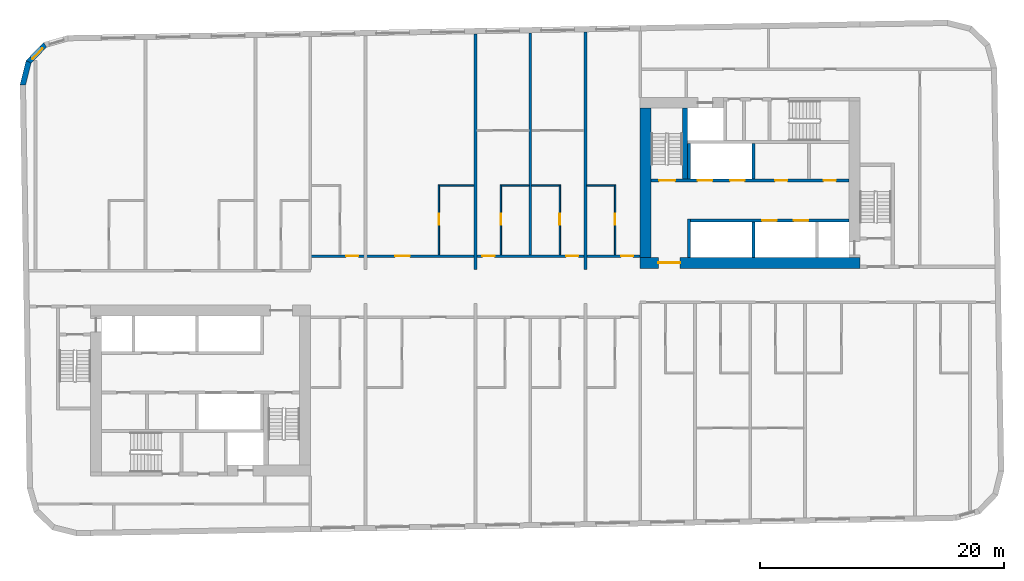
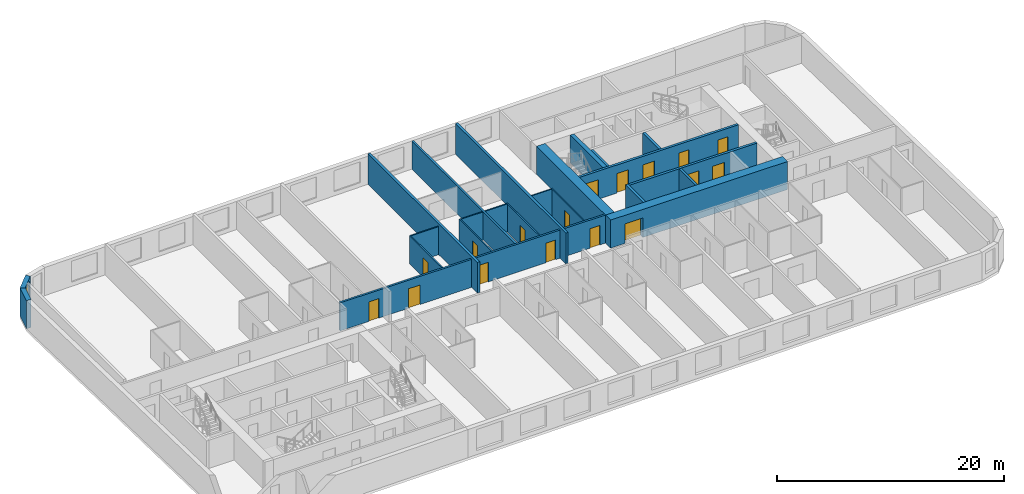
# One storey, part 5 of 11: 23 walls, 17 doors, 1 window, 18 openings.
"""IFC4 building model written with IfcOpenShell, lengths in metres."""

from ifc_helpers import new_model, si_unit, direction, frame, frame_2d, origin, place, context, subcontext, project, spatial, polyline, rectangle, outline, extrude, material, layer, layer_set, type_object, element, fill, save


model = new_model("IFC4")

# Units and contexts
model_context = context("Model", 3, precision=1e-05, world=origin(), true_north=direction((0.0, 1.0)))
body_context = subcontext(model_context, "Body", "Model", "MODEL_VIEW")
ifc_project = project(units=[si_unit("LENGTHUNIT", "METRE"), si_unit("AREAUNIT", "SQUARE_METRE"), si_unit("VOLUMEUNIT", "CUBIC_METRE"), si_unit("PLANEANGLEUNIT", "RADIAN"), si_unit("MASSUNIT", "GRAM", prefix="KILO")], contexts=[model_context])

# Site, building, storey
site_placement = place(None, origin())
site = spatial("IfcSite", under=ifc_project, at=site_placement, CompositionType="ELEMENT")
building_placement = place(site_placement, origin())
building = spatial("IfcBuilding", under=site, at=building_placement, Name="Kajstack Hotel Tower", CompositionType="ELEMENT")
storey_placement = place(building_placement, frame((0.0, 0.0, 230.89990234375)))
storey = spatial("IfcBuildingStorey", under=building, at=storey_placement, Name="L56", CompositionType="ELEMENT", Elevation=230.89990234375)

# Wall, opening, door
ifc_material_1 = material(Name="Concrete C60/75", Category="concrete")
ifc_layer_1 = layer(ifc_material_1, 0.89990234375)
ifc_layer_set_1 = layer_set([ifc_layer_1], Name="Core wall 900")
wall_type_1 = type_object("IfcWallType", Name="Core wall 900", PredefinedType="SHEAR", material=ifc_layer_set_1)
wall_1_placement = place(storey_placement, frame((13.5, 1.949951171875, 0.0), z_axis=(0.0, 0.0, 1.0), x_axis=(1.0, 0.0, 0.0)))
wall_1 = element("IfcWall", 1, at=wall_1_placement, inside=storey, type_object=wall_type_1, Name="Core wall E RN", PredefinedType="SHEAR", context=body_context, shape_type="SweptSolid", body=[
    extrude(rectangle(XDim=18.0, YDim=0.89990234375, at=frame_2d((9.0, 0.0))), origin(), (0.0, 0.0, 1.0), 3.02001953125),
])
opening_1_placement = place(wall_1_placement, frame((1.47509765625, 0.0, 0.0)))
opening_1 = element("IfcOpeningElement", 2, at=opening_1_placement, cuts=wall_1, Name="Opening 56E07", PredefinedType="OPENING", context=body_context, shape_type="SweptSolid", body=[
    extrude(rectangle(XDim=1.800048828125, YDim=2.10009765625, at=frame_2d((0.89990234375, 1.050048828125))), frame((0.0, 0.4599609375, 0.0), z_axis=(0.0, -1.0, 0.0), x_axis=(1.0, 0.0, 0.0)), (0.0, 0.0, 1.0), 0.919921875),
])
ifc_material_2 = material(Name="Glazed steel frame, fire-rated glass", Category="steel")
door_type_1 = type_object("IfcDoorType", Name="Lobby double door 1800", OperationType="DOUBLE_DOOR_DOUBLE_SWING", PredefinedType="DOOR", material=ifc_material_2)
door_1_placement = place(opening_1_placement, origin())
door_1 = element("IfcDoor", 3, at=door_1_placement, inside=storey, type_object=door_type_1, Name="Door 56E07", OperationType="DOUBLE_DOOR_DOUBLE_SWING", OverallHeight=2.10009765625, OverallWidth=1.800048828125, PredefinedType="DOOR", context=body_context, shape_type="SweptSolid", body=[
    extrude(rectangle(XDim=1.800048828125, YDim=2.10009765625, at=frame_2d((0.89990234375, 1.050048828125))), frame((0.0, 0.02490234375, 0.0), z_axis=(0.0, -1.0, 0.0), x_axis=(1.0, 0.0, 0.0)), (0.0, 0.0, 1.0), 0.050048828125),
])
fill(opening_1, door_1)

# Wall
wall_2_placement = place(storey_placement, frame((13.949951171875, 2.39990234375, 0.0), z_axis=(0.0, 0.0, 1.0), x_axis=(0.0, 1.0, 0.0)))
element("IfcWall", 4, at=wall_2_placement, inside=storey, type_object=wall_type_1, Name="Core wall E RE", PredefinedType="SHEAR", context=body_context, shape_type="SweptSolid", body=[
    extrude(rectangle(XDim=12.2001953125, YDim=0.89990234375, at=frame_2d((6.10009765625, 0.0))), origin(), (0.0, 0.0, 1.0), 3.02001953125),
])

# Wall, openings, doors
ifc_material_3 = material(Name="Gypsum board on steel studs, mineral wool", Category="steel")
ifc_layer_2 = layer(ifc_material_3, 0.199951171875)
ifc_layer_set_2 = layer_set([ifc_layer_2], Name="Corridor wall 200")
wall_type_2 = type_object("IfcWallType", Name="Corridor wall 200", PredefinedType="PARTITIONING", material=ifc_layer_set_2)
wall_3_placement = place(storey_placement, frame((-13.5, 2.5, 0.0), z_axis=(0.0, 0.0, 1.0), x_axis=(1.0, 0.0, 0.0)))
wall_3 = element("IfcWall", 5, at=wall_3_placement, inside=storey, type_object=wall_type_2, Name="G-wall-L56-004", PredefinedType="PARTITIONING", context=body_context, shape_type="SweptSolid", body=[
    extrude(rectangle(XDim=27.0, YDim=0.199951171875, at=frame_2d((13.5, 0.0))), origin(), (0.0, 0.0, 1.0), 3.02001953125),
])
opening_2_placement = place(wall_3_placement, frame((2.925048828125, 0.0, 0.0)))
opening_2 = element("IfcOpeningElement", 6, at=opening_2_placement, cuts=wall_3, Name="Opening 56007", PredefinedType="OPENING", context=body_context, shape_type="SweptSolid", body=[
    extrude(rectangle(XDim=1.0, YDim=2.10009765625, at=frame_2d((0.5, 1.050048828125))), frame((0.0, 0.10986328125, 0.0), z_axis=(0.0, -1.0, 0.0), x_axis=(1.0, 0.0, 0.0)), (0.0, 0.0, 1.0), 0.219970703125),
])
opening_3_placement = place(wall_3_placement, frame((6.93798828125, 0.0, 0.0)))
opening_3 = element("IfcOpeningElement", 7, at=opening_3_placement, cuts=wall_3, Name="Opening 56009", PredefinedType="OPENING", context=body_context, shape_type="SweptSolid", body=[
    extrude(rectangle(XDim=1.199951171875, YDim=2.10009765625, at=frame_2d((0.60009765625, 1.050048828125))), frame((0.0, 0.10986328125, 0.0), z_axis=(0.0, -1.0, 0.0), x_axis=(1.0, 0.0, 0.0)), (0.0, 0.0, 1.0), 0.219970703125),
])
opening_4_placement = place(wall_3_placement, frame((14.074951171875, 0.0, 0.0)))
opening_4 = element("IfcOpeningElement", 8, at=opening_4_placement, cuts=wall_3, Name="Opening 56011", PredefinedType="OPENING", context=body_context, shape_type="SweptSolid", body=[
    extrude(rectangle(XDim=1.0, YDim=2.10009765625, at=frame_2d((0.5, 1.050048828125))), frame((0.0, 0.10986328125, 0.0), z_axis=(0.0, -1.0, 0.0), x_axis=(1.0, 0.0, 0.0)), (0.0, 0.0, 1.0), 0.219970703125),
])
opening_5_placement = place(wall_3_placement, frame((20.925048828125, 0.0, 0.0)))
opening_5 = element("IfcOpeningElement", 9, at=opening_5_placement, cuts=wall_3, Name="Opening 56014", PredefinedType="OPENING", context=body_context, shape_type="SweptSolid", body=[
    extrude(rectangle(XDim=1.0, YDim=2.10009765625, at=frame_2d((0.5, 1.050048828125))), frame((0.0, 0.10986328125, 0.0), z_axis=(0.0, -1.0, 0.0), x_axis=(1.0, 0.0, 0.0)), (0.0, 0.0, 1.0), 0.219970703125),
])
opening_6_placement = place(wall_3_placement, frame((25.425048828125, 0.0, 0.0)))
opening_6 = element("IfcOpeningElement", 10, at=opening_6_placement, cuts=wall_3, Name="Opening 56017", PredefinedType="OPENING", context=body_context, shape_type="SweptSolid", body=[
    extrude(rectangle(XDim=1.0, YDim=2.10009765625, at=frame_2d((0.5, 1.050048828125))), frame((0.0, 0.10986328125, 0.0), z_axis=(0.0, -1.0, 0.0), x_axis=(1.0, 0.0, 0.0)), (0.0, 0.0, 1.0), 0.219970703125),
])
ifc_material_4 = material(Name="Oak veneer on timber core, fire-rated leaf", Category="wood")
door_type_2 = type_object("IfcDoorType", Name="Flat entrance door 1000", OperationType="SINGLE_SWING_LEFT", PredefinedType="DOOR", material=ifc_material_4)
door_2_placement = place(opening_2_placement, origin())
door_2 = element("IfcDoor", 11, at=door_2_placement, inside=storey, type_object=door_type_2, Name="G-door-L56-07", OperationType="SINGLE_SWING_RIGHT", OverallHeight=2.10009765625, OverallWidth=1.0, PredefinedType="DOOR", context=body_context, shape_type="SweptSolid", body=[
    extrude(rectangle(XDim=1.0, YDim=2.10009765625, at=frame_2d((0.5, 1.050048828125))), frame((0.0, 0.02490234375, 0.0), z_axis=(0.0, -1.0, 0.0), x_axis=(1.0, 0.0, 0.0)), (0.0, 0.0, 1.0), 0.050048828125),
])
fill(opening_2, door_2)
door_3_placement = place(opening_4_placement, origin())
door_3 = element("IfcDoor", 12, at=door_3_placement, inside=storey, type_object=door_type_2, Name="G-door-L56-11", OperationType="SINGLE_SWING_LEFT", OverallHeight=2.10009765625, OverallWidth=1.0, PredefinedType="DOOR", context=body_context, shape_type="SweptSolid", body=[
    extrude(rectangle(XDim=1.0, YDim=2.10009765625, at=frame_2d((0.5, 1.050048828125))), frame((0.0, 0.02490234375, 0.0), z_axis=(0.0, -1.0, 0.0), x_axis=(1.0, 0.0, 0.0)), (0.0, 0.0, 1.0), 0.050048828125),
])
fill(opening_4, door_3)
door_4_placement = place(opening_5_placement, origin())
door_4 = element("IfcDoor", 13, at=door_4_placement, inside=storey, type_object=door_type_2, Name="G-door-L56-14", OperationType="SINGLE_SWING_LEFT", OverallHeight=2.10009765625, OverallWidth=1.0, PredefinedType="DOOR", context=body_context, shape_type="SweptSolid", body=[
    extrude(rectangle(XDim=1.0, YDim=2.10009765625, at=frame_2d((0.5, 1.050048828125))), frame((0.0, 0.02490234375, 0.0), z_axis=(0.0, -1.0, 0.0), x_axis=(1.0, 0.0, 0.0)), (0.0, 0.0, 1.0), 0.050048828125),
])
fill(opening_5, door_4)
door_5_placement = place(opening_6_placement, origin())
door_5 = element("IfcDoor", 14, at=door_5_placement, inside=storey, type_object=door_type_2, Name="G-door-L56-17", OperationType="SINGLE_SWING_RIGHT", OverallHeight=2.10009765625, OverallWidth=1.0, PredefinedType="DOOR", context=body_context, shape_type="SweptSolid", body=[
    extrude(rectangle(XDim=1.0, YDim=2.10009765625, at=frame_2d((0.5, 1.050048828125))), frame((0.0, 0.02490234375, 0.0), z_axis=(0.0, -1.0, 0.0), x_axis=(1.0, 0.0, 0.0)), (0.0, 0.0, 1.0), 0.050048828125),
])
fill(opening_6, door_5)
door_type_3 = type_object("IfcDoorType", Name="Flat entrance door 1200", OperationType="SINGLE_SWING_LEFT", PredefinedType="DOOR", material=ifc_material_4)
door_6_placement = place(opening_3_placement, origin())
door_6 = element("IfcDoor", 15, at=door_6_placement, inside=storey, type_object=door_type_3, Name="G-door-L56-09", OperationType="SINGLE_SWING_LEFT", OverallHeight=2.10009765625, OverallWidth=1.199951171875, PredefinedType="DOOR", context=body_context, shape_type="SweptSolid", body=[
    extrude(rectangle(XDim=1.199951171875, YDim=2.10009765625, at=frame_2d((0.60009765625, 1.050048828125))), frame((0.0, 0.02490234375, 0.0), z_axis=(0.0, -1.0, 0.0), x_axis=(1.0, 0.0, 0.0)), (0.0, 0.0, 1.0), 0.050048828125),
])
fill(opening_3, door_6)

# Wall
ifc_material_5 = material(Name="Twin-frame gypsum board on steel studs, mineral wool", Category="steel")
ifc_layer_3 = layer(ifc_material_5, 0.199951171875)
ifc_layer_set_3 = layer_set([ifc_layer_3], Name="Demising wall 200")
wall_type_3 = type_object("IfcWallType", Name="Demising wall 200", PredefinedType="PARTITIONING", material=ifc_layer_set_3)
wall_4_placement = place(storey_placement, frame((4.5, 2.60009765625, 0.0), z_axis=(0.0, 0.0, 1.0), x_axis=(0.0, 1.0, 0.0)))
element("IfcWall", 16, at=wall_4_placement, inside=storey, type_object=wall_type_3, Name="G-wall-L56-016", PredefinedType="PARTITIONING", context=body_context, shape_type="SweptSolid", body=[
    extrude(rectangle(XDim=18.178955078125, YDim=0.199951171875, at=frame_2d((9.08935546875, 0.0))), origin(), (0.0, 0.0, 1.0), 3.02001953125),
])

# Wall, opening, window
ifc_material_6 = material(Name="Terracotta-faced brick masonry", Category="masonry")
ifc_layer_4 = layer(ifc_material_6, 0.449951171875)
ifc_layer_set_4 = layer_set([ifc_layer_4], Name="EW-TERRA")
wall_type_4 = type_object("IfcWallType", Name="EW-TERRA", PredefinedType="SOLIDWALL", material=ifc_layer_set_4)
wall_5_placement = place(storey_placement, frame((-35.1806640625, 19.841552734375, 0.0), z_axis=(0.0, 0.0, 1.0), x_axis=(-0.694678672846, -0.719320193998, 0.0)))
wall_5 = element("IfcWall", 17, at=wall_5_placement, inside=storey, type_object=wall_type_4, Name="E-wall-L56-14-00", PredefinedType="SOLIDWALL", context=body_context, shape_type="SweptSolid", body=[
    extrude(outline(polyline([(0.0, -0.22509765625), (2.07080078125, -0.22509765625), (1.9501953125, 0.224853515625), (0.12060546875, 0.224853515625), (0.0, -0.22509765625)])), origin(), (0.0, 0.0, 1.0), 3.02001953125),
])
opening_7_placement = place(wall_5_placement, frame((0.435302734375, 0.0, 0.449951171875)))
opening_7 = element("IfcOpeningElement", 18, at=opening_7_placement, cuts=wall_5, Name="Opening W3", PredefinedType="OPENING", context=body_context, shape_type="SweptSolid", body=[
    extrude(rectangle(XDim=1.199951171875, YDim=2.25, at=frame_2d((0.60009765625, 1.125))), frame((0.0, 0.23486328125, 0.0), z_axis=(0.0, -1.0, 0.0), x_axis=(1.0, 0.0, 0.0)), (0.0, 0.0, 1.0), 0.469970703125),
])
ifc_material_7 = material(Name="Timber-aluminium window, triple glazed", Category="wood")
window_type = type_object("IfcWindowType", Name="WG3", PartitioningType="SINGLE_PANEL", PredefinedType="WINDOW", material=ifc_material_7)
window_placement = place(opening_7_placement, origin())
window = element("IfcWindow", 19, at=window_placement, inside=storey, type_object=window_type, Name="Window W3 L56-14", OverallHeight=2.25, OverallWidth=1.199951171875, PartitioningType="SINGLE_PANEL", PredefinedType="WINDOW", context=body_context, shape_type="SweptSolid", body=[
    extrude(rectangle(XDim=1.199951171875, YDim=2.25, at=frame_2d((0.60009765625, 1.125))), frame((0.0, 0.090087890625, 0.0), z_axis=(0.0, -1.0, 0.0), x_axis=(1.0, 0.0, 0.0)), (0.0, 0.0, 1.0), 0.06005859375),
])
fill(opening_7, window)

# Wall
wall_6_placement = place(storey_placement, frame((-36.562744140625, 18.453857421875, 0.0), z_axis=(0.0, 0.0, 1.0), x_axis=(-0.241869623482, -0.970308757683, 0.0)))
element("IfcWall", 20, at=wall_6_placement, inside=storey, type_object=wall_type_4, Name="E-wall-L56-15-00", PredefinedType="SOLIDWALL", context=body_context, shape_type="SweptSolid", body=[
    extrude(outline(polyline([(-0.000244140625, -0.224853515625), (2.0703125, -0.22509765625), (1.94970703125, 0.224853515625), (0.120361328125, 0.22509765625), (-0.000244140625, -0.224853515625)])), origin(), (0.0, 0.0, 1.0), 3.02001953125),
])

# Wall, opening, door
ifc_material_8 = material(Name="Gypsum board and tiled backer on steel studs", Category="steel")
ifc_layer_5 = layer(ifc_material_8, 0.125)
ifc_layer_set_5 = layer_set([ifc_layer_5], Name="En-suite wall 125")
wall_type_5 = type_object("IfcWallType", Name="En-suite wall 125", PredefinedType="PARTITIONING", material=ifc_layer_set_5)
wall_7_placement = place(storey_placement, frame((-2.987060546875, 2.60009765625, 0.0), z_axis=(0.0, 0.0, 1.0), x_axis=(0.0, 1.0, 0.0)))
wall_7 = element("IfcWall", 21, at=wall_7_placement, inside=storey, type_object=wall_type_5, Name="G-wall-L56-014", PredefinedType="PARTITIONING", context=body_context, shape_type="SweptSolid", body=[
    extrude(rectangle(XDim=5.724853515625, YDim=0.125, at=frame_2d((2.8623046875, 0.0))), origin(), (0.0, 0.0, 1.0), 3.02001953125),
])
opening_8_placement = place(wall_7_placement, frame((2.449951171875, 0.0, 0.0)))
opening_8 = element("IfcOpeningElement", 22, at=opening_8_placement, cuts=wall_7, Name="Opening 56010", PredefinedType="OPENING", context=body_context, shape_type="SweptSolid", body=[
    extrude(rectangle(XDim=0.89990234375, YDim=2.10009765625, at=frame_2d((0.449951171875, 1.050048828125))), frame((0.0, 0.072509765625, 0.0), z_axis=(0.0, -1.0, 0.0), x_axis=(1.0, 0.0, 0.0)), (0.0, 0.0, 1.0), 0.14501953125),
])
ifc_material_9 = material(Name="Painted timber door leaf", Category="wood")
door_type_4 = type_object("IfcDoorType", Name="Room door 900", OperationType="SINGLE_SWING_LEFT", PredefinedType="DOOR", material=ifc_material_9)
door_7_placement = place(opening_8_placement, origin())
door_7 = element("IfcDoor", 23, at=door_7_placement, inside=storey, type_object=door_type_4, Name="G-door-L56-10", OperationType="SINGLE_SWING_RIGHT", OverallHeight=2.10009765625, OverallWidth=0.89990234375, PredefinedType="DOOR", context=body_context, shape_type="SweptSolid", body=[
    extrude(rectangle(XDim=0.89990234375, YDim=2.10009765625, at=frame_2d((0.449951171875, 1.050048828125))), frame((0.0, 0.02490234375, 0.0), z_axis=(0.0, -1.0, 0.0), x_axis=(1.0, 0.0, 0.0)), (0.0, 0.0, 1.0), 0.050048828125),
])
fill(opening_8, door_7)

# Wall
wall_8_placement = place(storey_placement, frame((-2.925048828125, 8.261962890625, 0.0), z_axis=(0.0, 0.0, 1.0), x_axis=(1.0, 0.0, 0.0)))
element("IfcWall", 24, at=wall_8_placement, inside=storey, type_object=wall_type_5, Name="G-wall-L56-015", PredefinedType="PARTITIONING", context=body_context, shape_type="SweptSolid", body=[
    extrude(rectangle(XDim=2.800048828125, YDim=0.125, at=frame_2d((1.39990234375, 0.0))), origin(), (0.0, 0.0, 1.0), 3.02001953125),
])

# Wall, opening, door
wall_9_placement = place(storey_placement, frame((2.0869140625, 2.60009765625, 0.0), z_axis=(0.0, 0.0, 1.0), x_axis=(0.0, 1.0, 0.0)))
wall_9 = element("IfcWall", 25, at=wall_9_placement, inside=storey, type_object=wall_type_5, Name="G-wall-L56-017", PredefinedType="PARTITIONING", context=body_context, shape_type="SweptSolid", body=[
    extrude(rectangle(XDim=5.724853515625, YDim=0.125, at=frame_2d((2.8623046875, 0.0))), origin(), (0.0, 0.0, 1.0), 3.02001953125),
])
opening_9_placement = place(wall_9_placement, frame((2.449951171875, 0.0, 0.0)))
opening_9 = element("IfcOpeningElement", 26, at=opening_9_placement, cuts=wall_9, Name="Opening 56012", PredefinedType="OPENING", context=body_context, shape_type="SweptSolid", body=[
    extrude(rectangle(XDim=0.89990234375, YDim=2.10009765625, at=frame_2d((0.449951171875, 1.050048828125))), frame((0.0, 0.072509765625, 0.0), z_axis=(0.0, -1.0, 0.0), x_axis=(1.0, 0.0, 0.0)), (0.0, 0.0, 1.0), 0.14501953125),
])
door_8_placement = place(opening_9_placement, origin())
door_8 = element("IfcDoor", 27, at=door_8_placement, inside=storey, type_object=door_type_4, Name="G-door-L56-12", OperationType="SINGLE_SWING_RIGHT", OverallHeight=2.10009765625, OverallWidth=0.89990234375, PredefinedType="DOOR", context=body_context, shape_type="SweptSolid", body=[
    extrude(rectangle(XDim=0.89990234375, YDim=2.10009765625, at=frame_2d((0.449951171875, 1.050048828125))), frame((0.0, 0.02490234375, 0.0), z_axis=(0.0, -1.0, 0.0), x_axis=(1.0, 0.0, 0.0)), (0.0, 0.0, 1.0), 0.050048828125),
])
fill(opening_9, door_8)

# Wall
wall_10_placement = place(storey_placement, frame((2.14990234375, 8.261962890625, 0.0), z_axis=(0.0, 0.0, 1.0), x_axis=(1.0, 0.0, 0.0)))
element("IfcWall", 28, at=wall_10_placement, inside=storey, type_object=wall_type_5, Name="G-wall-L56-018", PredefinedType="PARTITIONING", context=body_context, shape_type="SweptSolid", body=[
    extrude(rectangle(XDim=2.25, YDim=0.125, at=frame_2d((1.125, 0.0))), origin(), (0.0, 0.0, 1.0), 3.02001953125),
])

# Wall, opening, door
wall_11_placement = place(storey_placement, frame((6.912109375, 2.60009765625, 0.0), z_axis=(0.0, 0.0, 1.0), x_axis=(0.0, 1.0, 0.0)))
wall_11 = element("IfcWall", 29, at=wall_11_placement, inside=storey, type_object=wall_type_5, Name="G-wall-L56-020", PredefinedType="PARTITIONING", context=body_context, shape_type="SweptSolid", body=[
    extrude(rectangle(XDim=5.724853515625, YDim=0.125, at=frame_2d((2.8623046875, 0.0))), origin(), (0.0, 0.0, 1.0), 3.02001953125),
])
opening_10_placement = place(wall_11_placement, frame((2.449951171875, 0.0, 0.0)))
opening_10 = element("IfcOpeningElement", 30, at=opening_10_placement, cuts=wall_11, Name="Opening 56015", PredefinedType="OPENING", context=body_context, shape_type="SweptSolid", body=[
    extrude(rectangle(XDim=0.89990234375, YDim=2.10009765625, at=frame_2d((0.449951171875, 1.050048828125))), frame((0.0, 0.072509765625, 0.0), z_axis=(0.0, -1.0, 0.0), x_axis=(1.0, 0.0, 0.0)), (0.0, 0.0, 1.0), 0.14501953125),
])
door_9_placement = place(opening_10_placement, origin())
door_9 = element("IfcDoor", 31, at=door_9_placement, inside=storey, type_object=door_type_4, Name="G-door-L56-15", OperationType="SINGLE_SWING_RIGHT", OverallHeight=2.10009765625, OverallWidth=0.89990234375, PredefinedType="DOOR", context=body_context, shape_type="SweptSolid", body=[
    extrude(rectangle(XDim=0.89990234375, YDim=2.10009765625, at=frame_2d((0.449951171875, 1.050048828125))), frame((0.0, 0.02490234375, 0.0), z_axis=(0.0, -1.0, 0.0), x_axis=(1.0, 0.0, 0.0)), (0.0, 0.0, 1.0), 0.050048828125),
])
fill(opening_10, door_9)

# Wall
wall_12_placement = place(storey_placement, frame((4.60009765625, 8.261962890625, 0.0), z_axis=(0.0, 0.0, 1.0), x_axis=(1.0, 0.0, 0.0)))
element("IfcWall", 32, at=wall_12_placement, inside=storey, type_object=wall_type_5, Name="G-wall-L56-021", PredefinedType="PARTITIONING", context=body_context, shape_type="SweptSolid", body=[
    extrude(rectangle(XDim=2.25, YDim=0.125, at=frame_2d((1.125, 0.0))), origin(), (0.0, 0.0, 1.0), 3.02001953125),
])

# Wall, opening, door
wall_13_placement = place(storey_placement, frame((11.43798828125, 2.60009765625, 0.0), z_axis=(0.0, 0.0, 1.0), x_axis=(0.0, 1.0, 0.0)))
wall_13 = element("IfcWall", 33, at=wall_13_placement, inside=storey, type_object=wall_type_5, Name="G-wall-L56-023", PredefinedType="PARTITIONING", context=body_context, shape_type="SweptSolid", body=[
    extrude(rectangle(XDim=5.724853515625, YDim=0.125, at=frame_2d((2.8623046875, 0.0))), origin(), (0.0, 0.0, 1.0), 3.02001953125),
])
opening_11_placement = place(wall_13_placement, frame((2.449951171875, 0.0, 0.0)))
opening_11 = element("IfcOpeningElement", 34, at=opening_11_placement, cuts=wall_13, Name="Opening 56018", PredefinedType="OPENING", context=body_context, shape_type="SweptSolid", body=[
    extrude(rectangle(XDim=0.89990234375, YDim=2.10009765625, at=frame_2d((0.449951171875, 1.050048828125))), frame((0.0, 0.072509765625, 0.0), z_axis=(0.0, -1.0, 0.0), x_axis=(1.0, 0.0, 0.0)), (0.0, 0.0, 1.0), 0.14501953125),
])
door_10_placement = place(opening_11_placement, origin())
door_10 = element("IfcDoor", 35, at=door_10_placement, inside=storey, type_object=door_type_4, Name="G-door-L56-18", OperationType="SINGLE_SWING_LEFT", OverallHeight=2.10009765625, OverallWidth=0.89990234375, PredefinedType="DOOR", context=body_context, shape_type="SweptSolid", body=[
    extrude(rectangle(XDim=0.89990234375, YDim=2.10009765625, at=frame_2d((0.449951171875, 1.050048828125))), frame((0.0, 0.02490234375, 0.0), z_axis=(0.0, -1.0, 0.0), x_axis=(1.0, 0.0, 0.0)), (0.0, 0.0, 1.0), 0.050048828125),
])
fill(opening_11, door_10)

# Walls
wall_14_placement = place(storey_placement, frame((9.125, 8.261962890625, 0.0), z_axis=(0.0, 0.0, 1.0), x_axis=(1.0, 0.0, 0.0)))
element("IfcWall", 36, at=wall_14_placement, inside=storey, type_object=wall_type_5, Name="G-wall-L56-024", PredefinedType="PARTITIONING", context=body_context, shape_type="SweptSolid", body=[
    extrude(rectangle(XDim=2.25, YDim=0.125, at=frame_2d((1.125, 0.0))), origin(), (0.0, 0.0, 1.0), 3.02001953125),
])
ifc_material_10 = material(Name="Concrete C50/60", Category="concrete")
ifc_layer_6 = layer(ifc_material_10, 0.300048828125)
ifc_layer_set_6 = layer_set([ifc_layer_6], Name="Hoistway divider wall 300")
wall_type_6 = type_object("IfcWallType", Name="Hoistway divider wall 300", PredefinedType="SHEAR", material=ifc_layer_set_6)
wall_15_placement = place(storey_placement, frame((22.77490234375, 2.39990234375, 0.0), z_axis=(0.0, 0.0, 1.0), x_axis=(0.0, 1.0, 0.0)))
element("IfcWall", 37, at=wall_15_placement, inside=storey, type_object=wall_type_6, Name="Core wall E AP2", PredefinedType="SHEAR", context=body_context, shape_type="SweptSolid", body=[
    extrude(rectangle(XDim=2.900146484375, YDim=0.25, at=frame_2d((1.4501953125, 0.0))), origin(), (0.0, 0.0, 1.0), 3.02001953125),
])
wall_16_placement = place(storey_placement, frame((22.77490234375, 8.800048828125, 0.0), z_axis=(0.0, 0.0, 1.0), x_axis=(0.0, 1.0, 0.0)))
element("IfcWall", 38, at=wall_16_placement, inside=storey, type_object=wall_type_6, Name="Core wall E BP2", PredefinedType="SHEAR", context=body_context, shape_type="SweptSolid", body=[
    extrude(rectangle(XDim=2.89990234375, YDim=0.25, at=frame_2d((1.449951171875, 0.0))), origin(), (0.0, 0.0, 1.0), 3.02001953125),
])
ifc_material_11 = material(Name="Concrete C45/55", Category="concrete")
ifc_layer_7 = layer(ifc_material_11, 0.25)
ifc_layer_set_7 = layer_set([ifc_layer_7], Name="RC cross wall 250 C45/55")
wall_type_7 = type_object("IfcWallType", Name="RC cross wall 250 C45/55", PredefinedType="SHEAR", material=ifc_layer_set_7)
wall_17_placement = place(storey_placement, frame((0.0, 1.39990234375, 0.0), z_axis=(0.0, 0.0, 1.0), x_axis=(0.0, 1.0, 0.0)))
element("IfcWall", 39, at=wall_17_placement, inside=storey, type_object=wall_type_7, Name="S-wall-L56-07", PredefinedType="SHEAR", context=body_context, shape_type="SweptSolid", body=[
    extrude(rectangle(XDim=19.28857421875, YDim=0.25, at=frame_2d((9.644287109375, 0.0))), origin(), (0.0, 0.0, 1.0), 3.300048828125),
])
wall_18_placement = place(storey_placement, frame((9.0, 1.39990234375, 0.0), z_axis=(0.0, 0.0, 1.0), x_axis=(0.0, 1.0, 0.0)))
element("IfcWall", 40, at=wall_18_placement, inside=storey, type_object=wall_type_7, Name="S-wall-L56-09", PredefinedType="SHEAR", context=body_context, shape_type="SweptSolid", body=[
    extrude(rectangle(XDim=19.44580078125, YDim=0.25, at=frame_2d((9.722900390625, 0.0))), origin(), (0.0, 0.0, 1.0), 3.300048828125),
])

# Wall, openings, doors
ifc_layer_8 = layer(ifc_material_10, 0.25)
ifc_layer_set_8 = layer_set([ifc_layer_8], Name="Shaft wall 250")
wall_type_8 = type_object("IfcWallType", Name="Shaft wall 250", PredefinedType="SHEAR", material=ifc_layer_set_8)
wall_19_placement = place(storey_placement, frame((17.60009765625, 5.425048828125, 0.0), z_axis=(0.0, 0.0, 1.0), x_axis=(1.0, 0.0, 0.0)))
wall_19 = element("IfcWall", 41, at=wall_19_placement, inside=storey, type_object=wall_type_8, Name="Core wall E FA", PredefinedType="SHEAR", context=body_context, shape_type="SweptSolid", body=[
    extrude(rectangle(XDim=13.0, YDim=0.25, at=frame_2d((6.5, 0.0))), origin(), (0.0, 0.0, 1.0), 3.02001953125),
])
opening_12_placement = place(wall_19_placement, frame((8.47509765625, 0.0, 0.0)))
opening_12 = element("IfcOpeningElement", 42, at=opening_12_placement, cuts=wall_19, Name="Opening LD-MR7", PredefinedType="OPENING", context=body_context, shape_type="SweptSolid", body=[
    extrude(rectangle(XDim=1.199951171875, YDim=2.10009765625, at=frame_2d((0.60009765625, 1.050048828125))), frame((0.0, 0.135009765625, 0.0), z_axis=(0.0, -1.0, 0.0), x_axis=(1.0, 0.0, 0.0)), (0.0, 0.0, 1.0), 0.27001953125),
])
opening_13_placement = place(wall_19_placement, frame((5.875, 0.0, 0.0)))
opening_13 = element("IfcOpeningElement", 43, at=opening_13_placement, cuts=wall_19, Name="Opening LD-MR8", PredefinedType="OPENING", context=body_context, shape_type="SweptSolid", body=[
    extrude(rectangle(XDim=1.199951171875, YDim=2.10009765625, at=frame_2d((0.60009765625, 1.050048828125))), frame((0.0, 0.135009765625, 0.0), z_axis=(0.0, -1.0, 0.0), x_axis=(1.0, 0.0, 0.0)), (0.0, 0.0, 1.0), 0.27001953125),
])
ifc_material_12 = material(Name="Stainless steel", Category="steel")
door_type_5 = type_object("IfcDoorType", Name="Lift landing door 1200", OperationType="SLIDING_TO_LEFT", PredefinedType="DOOR", material=ifc_material_12)
door_11_placement = place(opening_12_placement, origin())
door_11 = element("IfcDoor", 44, at=door_11_placement, inside=storey, type_object=door_type_5, Name="Landing door MR7", OperationType="SLIDING_TO_LEFT", OverallHeight=2.10009765625, OverallWidth=1.199951171875, PredefinedType="DOOR", context=body_context, shape_type="SweptSolid", body=[
    extrude(rectangle(XDim=1.199951171875, YDim=2.10009765625, at=frame_2d((0.60009765625, 1.050048828125))), frame((0.0, 0.02490234375, 0.0), z_axis=(0.0, -1.0, 0.0), x_axis=(1.0, 0.0, 0.0)), (0.0, 0.0, 1.0), 0.050048828125),
])
fill(opening_12, door_11)
door_12_placement = place(opening_13_placement, origin())
door_12 = element("IfcDoor", 45, at=door_12_placement, inside=storey, type_object=door_type_5, Name="Landing door MR8", OperationType="SLIDING_TO_RIGHT", OverallHeight=2.10009765625, OverallWidth=1.199951171875, PredefinedType="DOOR", context=body_context, shape_type="SweptSolid", body=[
    extrude(rectangle(XDim=1.199951171875, YDim=2.10009765625, at=frame_2d((0.60009765625, 1.050048828125))), frame((0.0, 0.02490234375, 0.0), z_axis=(0.0, -1.0, 0.0), x_axis=(1.0, 0.0, 0.0)), (0.0, 0.0, 1.0), 0.050048828125),
])
fill(opening_13, door_12)

# Wall
wall_20_placement = place(storey_placement, frame((17.47509765625, 2.39990234375, 0.0), z_axis=(0.0, 0.0, 1.0), x_axis=(0.0, 1.0, 0.0)))
element("IfcWall", 46, at=wall_20_placement, inside=storey, type_object=wall_type_8, Name="Core wall E AE", PredefinedType="SHEAR", context=body_context, shape_type="SweptSolid", body=[
    extrude(rectangle(XDim=3.150146484375, YDim=0.25, at=frame_2d((1.5751953125, 0.0))), origin(), (0.0, 0.0, 1.0), 3.02001953125),
])

# Wall, openings, doors
wall_21_placement = place(storey_placement, frame((14.39990234375, 8.675048828125, 0.0), z_axis=(0.0, 0.0, 1.0), x_axis=(1.0, 0.0, 0.0)))
wall_21 = element("IfcWall", 47, at=wall_21_placement, inside=storey, type_object=wall_type_8, Name="Core wall E FB", PredefinedType="SHEAR", context=body_context, shape_type="SweptSolid", body=[
    extrude(rectangle(XDim=16.2001953125, YDim=0.25, at=frame_2d((8.10009765625, 0.0))), origin(), (0.0, 0.0, 1.0), 3.02001953125),
])
opening_14_placement = place(wall_21_placement, frame((6.449951171875, 0.0, 0.0)))
opening_14 = element("IfcOpeningElement", 48, at=opening_14_placement, cuts=wall_21, Name="Opening LD-MR5", PredefinedType="OPENING", context=body_context, shape_type="SweptSolid", body=[
    extrude(rectangle(XDim=1.199951171875, YDim=2.10009765625, at=frame_2d((0.60009765625, 1.050048828125))), frame((0.0, 0.135009765625, 0.0), z_axis=(0.0, -1.0, 0.0), x_axis=(1.0, 0.0, 0.0)), (0.0, 0.0, 1.0), 0.27001953125),
])
opening_15_placement = place(wall_21_placement, frame((3.800048828125, 0.0, 0.0)))
opening_15 = element("IfcOpeningElement", 49, at=opening_15_placement, cuts=wall_21, Name="Opening LD-MR6", PredefinedType="OPENING", context=body_context, shape_type="SweptSolid", body=[
    extrude(rectangle(XDim=1.199951171875, YDim=2.10009765625, at=frame_2d((0.60009765625, 1.050048828125))), frame((0.0, 0.135009765625, 0.0), z_axis=(0.0, -1.0, 0.0), x_axis=(1.0, 0.0, 0.0)), (0.0, 0.0, 1.0), 0.27001953125),
])
opening_16_placement = place(wall_21_placement, frame((0.64990234375, 0.0, 0.0)))
opening_16 = element("IfcOpeningElement", 50, at=opening_16_placement, cuts=wall_21, Name="Opening 56E11", PredefinedType="OPENING", context=body_context, shape_type="SweptSolid", body=[
    extrude(rectangle(XDim=1.300048828125, YDim=2.10009765625, at=frame_2d((0.64990234375, 1.050048828125))), frame((0.0, 0.135009765625, 0.0), z_axis=(0.0, -1.0, 0.0), x_axis=(1.0, 0.0, 0.0)), (0.0, 0.0, 1.0), 0.27001953125),
])
opening_17_placement = place(wall_21_placement, frame((14.112548828125, 0.0, 0.0)))
opening_17 = element("IfcOpeningElement", 51, at=opening_17_placement, cuts=wall_21, Name="Opening 56E15", PredefinedType="OPENING", context=body_context, shape_type="SweptSolid", body=[
    extrude(rectangle(XDim=1.0, YDim=2.10009765625, at=frame_2d((0.5, 1.050048828125))), frame((0.0, 0.135009765625, 0.0), z_axis=(0.0, -1.0, 0.0), x_axis=(1.0, 0.0, 0.0)), (0.0, 0.0, 1.0), 0.27001953125),
])
opening_18_placement = place(wall_21_placement, frame((10.137451171875, 0.0, 0.0)))
opening_18 = element("IfcOpeningElement", 52, at=opening_18_placement, cuts=wall_21, Name="Opening 56E16", PredefinedType="OPENING", context=body_context, shape_type="SweptSolid", body=[
    extrude(rectangle(XDim=1.0, YDim=2.10009765625, at=frame_2d((0.5, 1.050048828125))), frame((0.0, 0.135009765625, 0.0), z_axis=(0.0, -1.0, 0.0), x_axis=(1.0, 0.0, 0.0)), (0.0, 0.0, 1.0), 0.27001953125),
])
door_13_placement = place(opening_14_placement, origin())
door_13 = element("IfcDoor", 53, at=door_13_placement, inside=storey, type_object=door_type_5, Name="Landing door MR5", OperationType="SLIDING_TO_LEFT", OverallHeight=2.10009765625, OverallWidth=1.199951171875, PredefinedType="DOOR", context=body_context, shape_type="SweptSolid", body=[
    extrude(rectangle(XDim=1.199951171875, YDim=2.10009765625, at=frame_2d((0.60009765625, 1.050048828125))), frame((0.0, 0.02490234375, 0.0), z_axis=(0.0, -1.0, 0.0), x_axis=(1.0, 0.0, 0.0)), (0.0, 0.0, 1.0), 0.050048828125),
])
fill(opening_14, door_13)
door_14_placement = place(opening_15_placement, origin())
door_14 = element("IfcDoor", 54, at=door_14_placement, inside=storey, type_object=door_type_5, Name="Landing door MR6", OperationType="SLIDING_TO_RIGHT", OverallHeight=2.10009765625, OverallWidth=1.199951171875, PredefinedType="DOOR", context=body_context, shape_type="SweptSolid", body=[
    extrude(rectangle(XDim=1.199951171875, YDim=2.10009765625, at=frame_2d((0.60009765625, 1.050048828125))), frame((0.0, 0.02490234375, 0.0), z_axis=(0.0, -1.0, 0.0), x_axis=(1.0, 0.0, 0.0)), (0.0, 0.0, 1.0), 0.050048828125),
])
fill(opening_15, door_14)
ifc_material_13 = material(Name="Timber leaf, fire-rated", Category="wood")
door_type_6 = type_object("IfcDoorType", Name="Service room door 1000", OperationType="SINGLE_SWING_LEFT", PredefinedType="DOOR", material=ifc_material_13)
door_15_placement = place(opening_17_placement, origin())
door_15 = element("IfcDoor", 55, at=door_15_placement, inside=storey, type_object=door_type_6, Name="Door 56E15", OperationType="SINGLE_SWING_LEFT", OverallHeight=2.10009765625, OverallWidth=1.0, PredefinedType="DOOR", context=body_context, shape_type="SweptSolid", body=[
    extrude(rectangle(XDim=1.0, YDim=2.10009765625, at=frame_2d((0.5, 1.050048828125))), frame((0.0, 0.02490234375, 0.0), z_axis=(0.0, -1.0, 0.0), x_axis=(1.0, 0.0, 0.0)), (0.0, 0.0, 1.0), 0.050048828125),
])
fill(opening_17, door_15)
door_16_placement = place(opening_18_placement, origin())
door_16 = element("IfcDoor", 56, at=door_16_placement, inside=storey, type_object=door_type_6, Name="Door 56E16", OperationType="SINGLE_SWING_LEFT", OverallHeight=2.10009765625, OverallWidth=1.0, PredefinedType="DOOR", context=body_context, shape_type="SweptSolid", body=[
    extrude(rectangle(XDim=1.0, YDim=2.10009765625, at=frame_2d((0.5, 1.050048828125))), frame((0.0, 0.02490234375, 0.0), z_axis=(0.0, -1.0, 0.0), x_axis=(1.0, 0.0, 0.0)), (0.0, 0.0, 1.0), 0.050048828125),
])
fill(opening_18, door_16)
ifc_material_14 = material(Name="Steel leaf, fire-rated", Category="steel")
door_type_7 = type_object("IfcDoorType", Name="Stair door 1300", OperationType="SINGLE_SWING_LEFT", PredefinedType="DOOR", material=ifc_material_14)
door_17_placement = place(opening_16_placement, origin())
door_17 = element("IfcDoor", 57, at=door_17_placement, inside=storey, type_object=door_type_7, Name="Door 56E11", OperationType="SINGLE_SWING_LEFT", OverallHeight=2.10009765625, OverallWidth=1.300048828125, PredefinedType="DOOR", context=body_context, shape_type="SweptSolid", body=[
    extrude(rectangle(XDim=1.300048828125, YDim=2.10009765625, at=frame_2d((0.64990234375, 1.050048828125))), frame((0.0, 0.02490234375, 0.0), z_axis=(0.0, -1.0, 0.0), x_axis=(1.0, 0.0, 0.0)), (0.0, 0.0, 1.0), 0.050048828125),
])
fill(opening_16, door_17)

# Walls
wall_22_placement = place(storey_placement, frame((17.47509765625, 8.800048828125, 0.0), z_axis=(0.0, 0.0, 1.0), x_axis=(0.0, 1.0, 0.0)))
element("IfcWall", 58, at=wall_22_placement, inside=storey, type_object=wall_type_8, Name="Core wall E BE", PredefinedType="SHEAR", context=body_context, shape_type="SweptSolid", body=[
    extrude(rectangle(XDim=2.89990234375, YDim=0.25, at=frame_2d((1.449951171875, 0.0))), origin(), (0.0, 0.0, 1.0), 3.02001953125),
])
ifc_layer_9 = layer(ifc_material_10, 0.39990234375)
ifc_layer_set_9 = layer_set([ifc_layer_9], Name="Stair wall 400")
wall_type_9 = type_object("IfcWallType", Name="Stair wall 400", PredefinedType="SHEAR", material=ifc_layer_set_9)
wall_23_placement = place(storey_placement, frame((17.14990234375, 8.800048828125, 0.0), z_axis=(0.0, 0.0, 1.0), x_axis=(0.0, 1.0, 0.0)))
element("IfcWall", 59, at=wall_23_placement, inside=storey, type_object=wall_type_9, Name="Core wall E WW2", PredefinedType="SHEAR", context=body_context, shape_type="SweptSolid", body=[
    extrude(rectangle(XDim=5.800048828125, YDim=0.39990234375, at=frame_2d((2.89990234375, 0.0))), origin(), (0.0, 0.0, 1.0), 3.02001953125),
])

save(model, "model.ifc")
